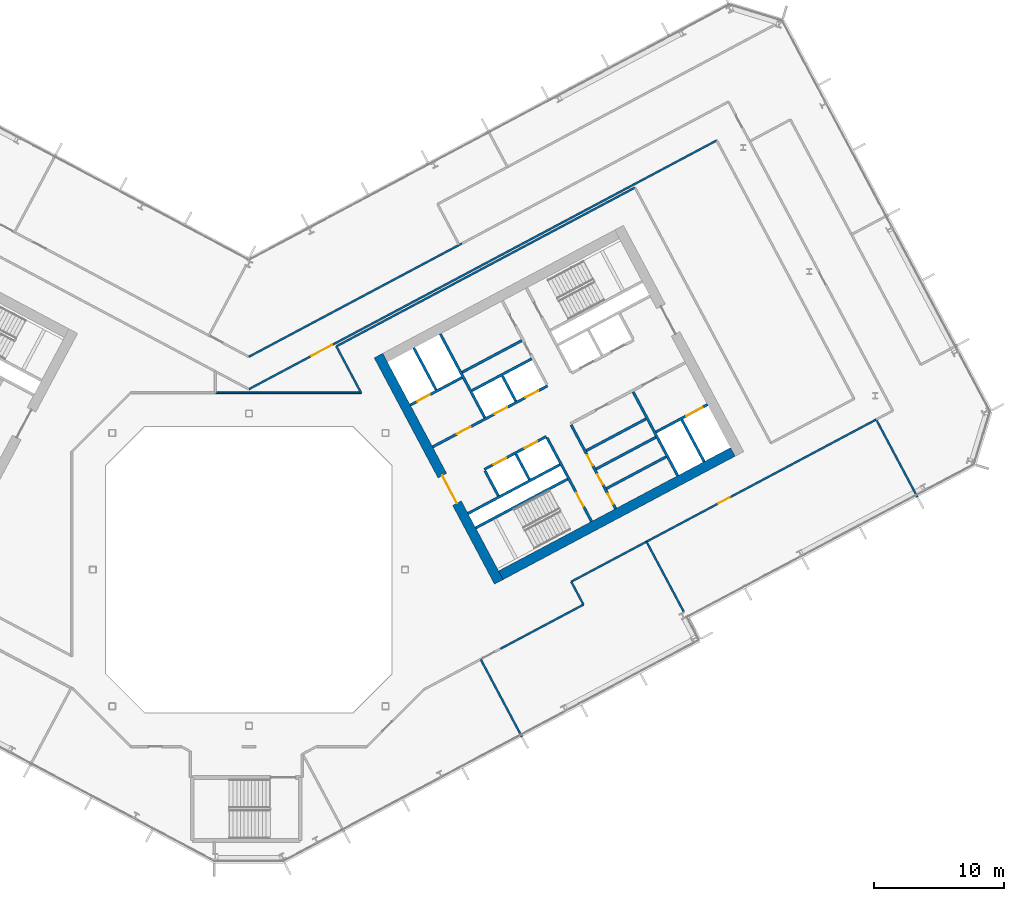
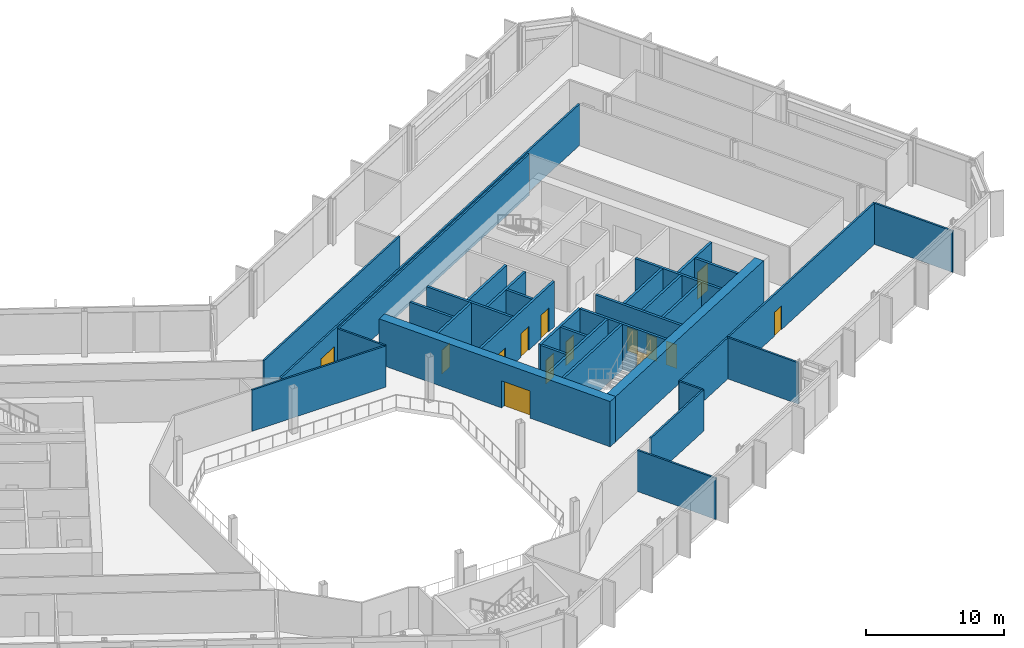
# One storey, part 16 of 28: 33 walls, 14 doors, 14 openings.
"""IFC4 building model written with IfcOpenShell, lengths in metres."""

import ifcopenshell
import ifcopenshell.guid

model = None  # the IFC model being written
_history = None  # IfcOwnerHistory: only IFC2X3 demands one
_inside = {}  # id of a spatial element -> (the spatial element, [elements in it])
_under = {}  # id of a project, library or spatial element -> (it, [spatial elements below it])
_declared = {}  # id of a project -> (the project, [libraries it declares])
_typed = {}  # id of a type object -> (the type object, [elements of that type])
_made_of = {}  # id of a material, layer set ... -> (it, [elements and type objects made of it])


def new_model(schema):
    """Start an empty IFC model of exactly this schema.

    Asked for "IFC4X3", IfcOpenShell would pick the latest addendum, in which some entities
    have other attributes; the version numbers below select the first issue.
    IFC2X3 requires an IfcOwnerHistory on every rooted entity: one is made here for all.
    """
    global model, _history
    if schema == "IFC4X3":
        model = ifcopenshell.file(schema_version=(4, 3, 0, 0))
    else:
        model = ifcopenshell.file(schema=schema)
    _inside.clear()
    _under.clear()
    _declared.clear()
    _typed.clear()
    _made_of.clear()
    _history = None
    if model.schema == "IFC2X3":
        org = make("IfcOrganization", Name="unknown")
        user = make(
            "IfcPersonAndOrganization",
            ThePerson=make("IfcPerson", FamilyName="unknown"),
            TheOrganization=org,
        )
        app = make(
            "IfcApplication",
            ApplicationDeveloper=org,
            Version="unknown",
            ApplicationFullName="unknown",
            ApplicationIdentifier="unknown",
        )
        _history = make(
            "IfcOwnerHistory",
            OwningUser=user,
            OwningApplication=app,
            ChangeAction="ADDED",
            CreationDate=0,
        )
    return model


def make(cls, **values):
    """One entity of the class cls with the attributes given. An attribute that is None is left unset."""
    return model.create_entity(
        cls, **{name: value for name, value in values.items() if value is not None}
    )


def rooted(cls, **values):
    """An entity with a GlobalId (a new one), such as an element, a storey or a relation."""
    return make(cls, GlobalId=ifcopenshell.guid.new(), OwnerHistory=_history, **values)


def si_unit(unit_type, name, prefix=None):
    """IfcSIUnit, for example si_unit("LENGTHUNIT", "METRE", prefix="MILLI")."""
    return make("IfcSIUnit", UnitType=unit_type, Prefix=prefix, Name=name)


def assignment(units):
    """IfcUnitAssignment: the units of a project."""
    return None if units is None else make("IfcUnitAssignment", Units=units)


def point(xyz):
    """IfcCartesianPoint."""
    return None if xyz is None else make("IfcCartesianPoint", Coordinates=xyz)


def direction(xyz):
    """IfcDirection."""
    return None if xyz is None else make("IfcDirection", DirectionRatios=xyz)


def frame(location, z_axis=None, x_axis=None):
    """IfcAxis2Placement3D, a coordinate frame: its origin and axes. An axis left out is left unset."""
    return make(
        "IfcAxis2Placement3D",
        Location=point(location),
        Axis=direction(z_axis),
        RefDirection=direction(x_axis),
    )


def frame_2d(location, x_axis=None):
    """IfcAxis2Placement2D, a coordinate frame in the plane: its origin and x axis."""
    return make(
        "IfcAxis2Placement2D", Location=point(location), RefDirection=direction(x_axis)
    )


def origin():
    """The frame at (0, 0, 0) with its axes left unset."""
    return frame((0.0, 0.0, 0.0))


def place(relative_to, where):
    """IfcLocalPlacement: puts the frame where relative to a parent placement (None: the world)."""
    return make(
        "IfcLocalPlacement", PlacementRelTo=relative_to, RelativePlacement=where
    )


def context(
    kind, dimensions, precision=None, world=None, true_north=None, identifier=None
):
    """IfcGeometricRepresentationContext, for example the 3D "Model" context."""
    return make(
        "IfcGeometricRepresentationContext",
        ContextIdentifier=identifier,
        ContextType=kind,
        CoordinateSpaceDimension=dimensions,
        Precision=precision,
        WorldCoordinateSystem=world,
        TrueNorth=true_north,
    )


def subcontext(parent, identifier, kind, view, scale=None):
    """IfcGeometricRepresentationSubContext, for example "Body" below "Model"."""
    return make(
        "IfcGeometricRepresentationSubContext",
        ContextIdentifier=identifier,
        ContextType=kind,
        ParentContext=parent,
        TargetScale=scale,
        TargetView=view,
    )


def project(units=None, contexts=None):
    """IfcProject with its units and contexts."""
    return rooted(
        "IfcProject",
        Name="project",
        RepresentationContexts=contexts,
        UnitsInContext=assignment(units),
    )


def spatial(cls, under=None, at=None, **own):
    """A site, building, storey or space (cls), placed at a placement, below another one or the project."""
    s = rooted(cls, ObjectPlacement=at, **own)
    if under is not None:
        _under.setdefault(under.id(), (under, []))[1].append(s)
    return s


def profile(cls, at=None, kind="AREA", **sizes):
    """A parametric profile (cls). Its sizes go by their IFC names, for example OverallWidth=200.0."""
    return make(cls, ProfileType=kind, Position=at, **sizes)


def rectangle(**sizes):
    """IfcRectangleProfileDef."""
    return profile("IfcRectangleProfileDef", **sizes)


def extrude(swept, where, along, depth):
    """IfcExtrudedAreaSolid: the profile swept, set in the frame where, extruded along a direction by depth."""
    return make(
        "IfcExtrudedAreaSolid",
        SweptArea=swept,
        Position=where,
        ExtrudedDirection=direction(along),
        Depth=depth,
    )


def shape(context_of_items, identifier, shape_type, items):
    """IfcShapeRepresentation: the items that make up one representation, for example the "Body"."""
    return make(
        "IfcShapeRepresentation",
        ContextOfItems=context_of_items,
        RepresentationIdentifier=identifier,
        RepresentationType=shape_type,
        Items=items,
    )


def material(Name=None, Category=None):
    """IfcMaterial."""
    return make("IfcMaterial", Name=Name, Category=Category)


def layer(
    of_material, thickness, ventilated=None, Name=None, Category=None, Priority=None
):
    """IfcMaterialLayer: one layer of a wall or slab, of a material (None: an air gap)."""
    return make(
        "IfcMaterialLayer",
        Material=of_material,
        LayerThickness=thickness,
        IsVentilated=ventilated,
        Name=Name,
        Category=Category,
        Priority=Priority,
    )


def layer_set(layers, Name=None):
    """IfcMaterialLayerSet."""
    return make("IfcMaterialLayerSet", MaterialLayers=layers, LayerSetName=Name)


def made_of(thing, what):
    """Note that an element or type object is made of a material, layer set ...; save() writes the relation."""
    if what is not None:
        _made_of.setdefault(what.id(), (what, []))[1].append(thing)
    return thing


def type_object(cls, material=None, **own):
    """A type object (cls), such as IfcWallType, which elements share."""
    return made_of(rooted(cls, **own), material)


def element(
    cls,
    number,
    at=None,
    inside=None,
    cuts=None,
    type_object=None,
    material=None,
    context=None,
    identifier="Body",
    shape_type=None,
    held_by="IfcProductDefinitionShape",
    body=None,
    shapes=None,
    **own,
):
    """One element of the class cls, such as IfcWall. Its Tag is "e" and its number.

    at: its placement. inside: the storey or other place that contains it. cuts: it is an
    opening in that element (IfcRelVoidsElement). A single representation is given by context,
    identifier, shape_type and body (its items); several are given by shapes. held_by: the class
    of the entity that holds the representations. save() writes the other relations.
    """
    e = rooted(cls, Tag="e%d" % number, ObjectPlacement=at, **own)
    if body is not None:
        shapes = [shape(context, identifier, shape_type, body)]
    if shapes is not None:
        e.Representation = make(held_by, Representations=shapes)
    if inside is not None:
        _inside.setdefault(inside.id(), (inside, []))[1].append(e)
    if cuts is not None:
        rooted(
            "IfcRelVoidsElement", RelatingBuildingElement=cuts, RelatedOpeningElement=e
        )
    if type_object is not None:
        _typed.setdefault(type_object.id(), (type_object, []))[1].append(e)
    return made_of(e, material)


def fill(opening, filler):
    """IfcRelFillsElement: the door or window that sits in an opening."""
    return rooted(
        "IfcRelFillsElement",
        RelatingOpeningElement=opening,
        RelatedBuildingElement=filler,
    )


def aggregate(whole, parts):
    """IfcRelAggregates: a whole, such as a stair, and the parts it consists of."""
    return rooted("IfcRelAggregates", RelatingObject=whole, RelatedObjects=parts)


def save(model, path):
    """Write the relations noted so far, then the file.

    IfcRelAggregates (storeys below a building ...), IfcRelContainedInSpatialStructure (elements
    in a storey), IfcRelDefinesByType, IfcRelAssociatesMaterial and IfcRelDeclares: one each for
    every whole, place, type object, material and project.
    """
    for whole, parts in _under.values():
        aggregate(whole, parts)
    for where, things in _inside.values():
        rooted(
            "IfcRelContainedInSpatialStructure",
            RelatedElements=things,
            RelatingStructure=where,
        )
    for kind, things in _typed.values():
        rooted("IfcRelDefinesByType", RelatedObjects=things, RelatingType=kind)
    for what, things in _made_of.values():
        rooted("IfcRelAssociatesMaterial", RelatedObjects=things, RelatingMaterial=what)
    for by, libraries in _declared.values():
        rooted("IfcRelDeclares", RelatingContext=by, RelatedDefinitions=libraries)
    model.write(path)


model = new_model("IFC4")

# Units and contexts
model_context = context("Model", 3, precision=1e-05, world=origin(), true_north=direction((0.0, 1.0)))
body_context = subcontext(model_context, "Body", "Model", "MODEL_VIEW")
ifc_project = project(units=[si_unit("LENGTHUNIT", "METRE"), si_unit("AREAUNIT", "SQUARE_METRE"), si_unit("VOLUMEUNIT", "CUBIC_METRE"), si_unit("PLANEANGLEUNIT", "RADIAN"), si_unit("MASSUNIT", "GRAM", prefix="KILO")], contexts=[model_context])

# Site, building, storey
site_placement = place(None, origin())
site = spatial("IfcSite", under=ifc_project, at=site_placement, CompositionType="ELEMENT")
building_placement = place(site_placement, origin())
building = spatial("IfcBuilding", under=site, at=building_placement, Name="Cormorant Relay Tower", CompositionType="ELEMENT")
storey_placement = place(building_placement, frame((0.0, 0.0, 158.199951171875)))
storey = spatial("IfcBuildingStorey", under=building, at=storey_placement, Name="L33", CompositionType="ELEMENT", Elevation=158.199951171875)

# Walls
ifc_material_1 = material(Name="Concrete 40 MPa", Category="concrete")
ifc_layer_1 = layer(ifc_material_1, 0.199951171875)
ifc_layer_set_1 = layer_set([ifc_layer_1], Name="Core internal wall 200")
wall_type_1 = type_object("IfcWallType", Name="Core internal wall 200", PredefinedType="SOLIDWALL", material=ifc_layer_set_1)
for number, where, z_axis, x_axis, name in (
    (1, (21.567626953125, 6.9375, 0.0), (0.0, 0.0, 1.0), (-0.469533832133, 0.882914480843, 0.0), "L33 core B shaft and room wall"),
    (2, (20.522216796875, 12.950439453125, 0.0), (0.0, 0.0, 1.0), (-0.469401318492, 0.882984938828, 0.0), "L33 core B shaft and room wall"),
):
    element("IfcWall", number, at=place(storey_placement, frame(where, z_axis=z_axis, x_axis=x_axis)), inside=storey, type_object=wall_type_1, Name=name, PredefinedType="SOLIDWALL", context=body_context, shape_type="SweptSolid", body=[
        extrude(rectangle(XDim=2.199951171875, YDim=0.199951171875, at=frame_2d((1.10009765625, 0.0))), origin(), (0.0, 0.0, 1.0), 4.0),
    ])
for number, where, z_axis, x_axis, name in (
    (3, (27.490234375, 6.23583984375, 0.0), (0.0, 0.0, 1.0), (0.882953967957, 0.469459572775, 0.0), "L33 core B shaft and room wall"),
    (4, (26.692138671875, 7.73681640625, 0.0), (0.0, 0.0, 1.0), (0.882953967957, 0.469459572775, 0.0), "L33 core B shaft and room wall"),
    (5, (16.395751953125, 15.17333984375, 0.0), (0.0, 0.0, 1.0), (0.882934506056, 0.469496174655, 0.0), "L33 core B shaft and room wall"),
):
    element("IfcWall", number, at=place(storey_placement, frame(where, z_axis=z_axis, x_axis=x_axis)), inside=storey, type_object=wall_type_1, Name=name, PredefinedType="SOLIDWALL", context=body_context, shape_type="SweptSolid", body=[
        extrude(rectangle(XDim=5.199951171875, YDim=0.199951171875, at=frame_2d((2.60009765625, 0.0))), origin(), (0.0, 0.0, 1.0), 4.0),
    ])
ifc_material_2 = material(Name="Concrete 50 MPa", Category="concrete")
ifc_layer_2 = layer(ifc_material_2, 0.199951171875)
ifc_layer_set_2 = layer_set([ifc_layer_2], Name="Core shaft wall 200")
wall_type_2 = type_object("IfcWallType", Name="Core shaft wall 200", PredefinedType="SHEAR", material=ifc_layer_set_2)
wall_1_placement = place(storey_placement, frame((14.39404296875, 13.825927734375, 0.0), z_axis=(0.0, 0.0, 1.0), x_axis=(-0.469494272526, 0.882935517501, 0.0)))
element("IfcWall", 6, at=wall_1_placement, inside=storey, type_object=wall_type_2, Name="L33 core B shaft wall", PredefinedType="SHEAR", context=body_context, shape_type="SweptSolid", body=[
    extrude(rectangle(XDim=3.64990234375, YDim=0.199951171875, at=frame_2d((1.824951171875, 0.0))), origin(), (0.0, 0.0, 1.0), 4.0),
])
wall_2_placement = place(storey_placement, frame((19.18359375, 5.669921875, 0.0), z_axis=(0.0, 0.0, 1.0), x_axis=(-0.4694473164, 0.882960484464, 0.0)))
element("IfcWall", 7, at=wall_2_placement, inside=storey, type_object=wall_type_2, Name="L33 core B shaft wall", PredefinedType="SHEAR", context=body_context, shape_type="SweptSolid", body=[
    extrude(rectangle(XDim=2.199951171875, YDim=0.199951171875, at=frame_2d((1.10009765625, 0.0))), origin(), (0.0, 0.0, 1.0), 4.0),
])
wall_3_placement = place(storey_placement, frame((18.138427734375, 11.682861328125, 0.0), z_axis=(0.0, 0.0, 1.0), x_axis=(-0.469480409012, 0.88294288918, 0.0)))
element("IfcWall", 8, at=wall_3_placement, inside=storey, type_object=wall_type_2, Name="L33 core B shaft wall", PredefinedType="SHEAR", context=body_context, shape_type="SweptSolid", body=[
    extrude(rectangle(XDim=7.300048828125, YDim=0.199951171875, at=frame_2d((3.64990234375, 0.0))), origin(), (0.0, 0.0, 1.0), 4.0),
])

# Wall, opening, door
wall_4_placement = place(storey_placement, frame((26.345947265625, 3.701904296875, 0.0), z_axis=(0.0, 0.0, 1.0), x_axis=(-0.469480409012, 0.88294288918, 0.0)))
wall_4 = element("IfcWall", 9, at=wall_4_placement, inside=storey, type_object=wall_type_2, Name="L33 core B shaft wall", PredefinedType="SHEAR", context=body_context, shape_type="SweptSolid", body=[
    extrude(rectangle(XDim=7.300048828125, YDim=0.199951171875, at=frame_2d((3.64990234375, 0.0))), origin(), (0.0, 0.0, 1.0), 4.0),
])
opening_1_placement = place(wall_4_placement, frame((1.300048828125, 0.0, 0.0)))
opening_1 = element("IfcOpeningElement", 10, at=opening_1_placement, cuts=wall_4, Name="Opening CDB-036", PredefinedType="OPENING", context=body_context, shape_type="SweptSolid", body=[
    extrude(rectangle(XDim=1.199951171875, YDim=2.10009765625, at=frame_2d((0.60009765625, 1.050048828125))), frame((0.0, 0.10986328125, 0.0), z_axis=(0.0, -1.0, 0.0), x_axis=(1.0, 0.0, 0.0)), (0.0, 0.0, 1.0), 0.219970703125),
])
ifc_material_3 = material(Name="Steel fire door", Category="steel")
door_type_1 = type_object("IfcDoorType", Name="Core stair door 1200x2100", OperationType="SINGLE_SWING_LEFT", PredefinedType="DOOR", material=ifc_material_3)
door_1_placement = place(opening_1_placement, origin())
door_1 = element("IfcDoor", 11, at=door_1_placement, inside=storey, type_object=door_type_1, Name="Core stair door 1200x2100", OperationType="SINGLE_SWING_RIGHT", OverallHeight=2.10009765625, OverallWidth=1.199951171875, PredefinedType="DOOR", context=body_context, shape_type="SweptSolid", body=[
    extrude(rectangle(XDim=1.199951171875, YDim=2.10009765625, at=frame_2d((0.60009765625, 1.050048828125))), frame((0.0, 0.02490234375, 0.0), z_axis=(0.0, -1.0, 0.0), x_axis=(1.0, 0.0, 0.0)), (0.0, 0.0, 1.0), 0.050048828125),
])
fill(opening_1, door_1)

# Wall, openings, doors
wall_5_placement = place(storey_placement, frame((28.199951171875, 4.687744140625, 0.0), z_axis=(0.0, 0.0, 1.0), x_axis=(-0.469454336211, 0.882956752176, 0.0)))
wall_5 = element("IfcWall", 12, at=wall_5_placement, inside=storey, type_object=wall_type_2, Name="L33 core B shaft wall", PredefinedType="SHEAR", context=body_context, shape_type="SweptSolid", body=[
    extrude(rectangle(XDim=7.300048828125, YDim=0.199951171875, at=frame_2d((3.64990234375, 0.0))), origin(), (0.0, 0.0, 1.0), 4.0),
])
opening_2_placement = place(wall_5_placement, frame((0.39990234375, 0.0, 0.0)))
opening_2 = element("IfcOpeningElement", 13, at=opening_2_placement, cuts=wall_5, Name="Opening CDD-181", PredefinedType="OPENING", context=body_context, shape_type="SweptSolid", body=[
    extrude(rectangle(XDim=0.89990234375, YDim=2.10009765625, at=frame_2d((0.449951171875, 1.050048828125))), frame((0.0, 0.10986328125, 0.0), z_axis=(0.0, -1.0, 0.0), x_axis=(1.0, 0.0, 0.0)), (0.0, 0.0, 1.0), 0.219970703125),
])
opening_3_placement = place(wall_5_placement, frame((2.10009765625, 0.0, 0.0)))
opening_3 = element("IfcOpeningElement", 14, at=opening_3_placement, cuts=wall_5, Name="Opening CDD-182", PredefinedType="OPENING", context=body_context, shape_type="SweptSolid", body=[
    extrude(rectangle(XDim=0.89990234375, YDim=2.10009765625, at=frame_2d((0.449951171875, 1.050048828125))), frame((0.0, 0.10986328125, 0.0), z_axis=(0.0, -1.0, 0.0), x_axis=(1.0, 0.0, 0.0)), (0.0, 0.0, 1.0), 0.219970703125),
])
opening_4_placement = place(wall_5_placement, frame((3.75, 0.0, 0.0)))
opening_4 = element("IfcOpeningElement", 15, at=opening_4_placement, cuts=wall_5, Name="Opening CDD-183", PredefinedType="OPENING", context=body_context, shape_type="SweptSolid", body=[
    extrude(rectangle(XDim=0.89990234375, YDim=2.10009765625, at=frame_2d((0.449951171875, 1.050048828125))), frame((0.0, 0.10986328125, 0.0), z_axis=(0.0, -1.0, 0.0), x_axis=(1.0, 0.0, 0.0)), (0.0, 0.0, 1.0), 0.219970703125),
])
ifc_material_4 = material(Name="Steel fire door", Category="steel")
door_type_2 = type_object("IfcDoorType", Name="Core room door 900x2100", OperationType="SINGLE_SWING_LEFT", PredefinedType="DOOR", material=ifc_material_4)
door_2_placement = place(opening_2_placement, frame((0.89990234375, 0.0, 0.0), z_axis=(0.0, 0.0, 1.0), x_axis=(-1.0, 0.0, 0.0)))
door_2 = element("IfcDoor", 16, at=door_2_placement, inside=storey, type_object=door_type_2, Name="Core room door 900x2100", OperationType="SINGLE_SWING_LEFT", OverallHeight=2.10009765625, OverallWidth=0.89990234375, PredefinedType="DOOR", context=body_context, shape_type="SweptSolid", body=[
    extrude(rectangle(XDim=0.89990234375, YDim=2.10009765625, at=frame_2d((0.449951171875, 1.050048828125))), frame((0.0, 0.02490234375, 0.0), z_axis=(0.0, -1.0, 0.0), x_axis=(1.0, 0.0, 0.0)), (0.0, 0.0, 1.0), 0.050048828125),
])
fill(opening_2, door_2)
door_3_placement = place(opening_3_placement, frame((0.89990234375, 0.0, 0.0), z_axis=(0.0, 0.0, 1.0), x_axis=(-1.0, 0.0, 0.0)))
door_3 = element("IfcDoor", 17, at=door_3_placement, inside=storey, type_object=door_type_2, Name="Core room door 900x2100", OperationType="SINGLE_SWING_LEFT", OverallHeight=2.10009765625, OverallWidth=0.89990234375, PredefinedType="DOOR", context=body_context, shape_type="SweptSolid", body=[
    extrude(rectangle(XDim=0.89990234375, YDim=2.10009765625, at=frame_2d((0.449951171875, 1.050048828125))), frame((0.0, 0.02490234375, 0.0), z_axis=(0.0, -1.0, 0.0), x_axis=(1.0, 0.0, 0.0)), (0.0, 0.0, 1.0), 0.050048828125),
])
fill(opening_3, door_3)
door_4_placement = place(opening_4_placement, frame((0.89990234375, 0.0, 0.0), z_axis=(0.0, 0.0, 1.0), x_axis=(-1.0, 0.0, 0.0)))
door_4 = element("IfcDoor", 18, at=door_4_placement, inside=storey, type_object=door_type_2, Name="Core room door 900x2100", OperationType="SINGLE_SWING_LEFT", OverallHeight=2.10009765625, OverallWidth=0.89990234375, PredefinedType="DOOR", context=body_context, shape_type="SweptSolid", body=[
    extrude(rectangle(XDim=0.89990234375, YDim=2.10009765625, at=frame_2d((0.449951171875, 1.050048828125))), frame((0.0, 0.02490234375, 0.0), z_axis=(0.0, -1.0, 0.0), x_axis=(1.0, 0.0, 0.0)), (0.0, 0.0, 1.0), 0.050048828125),
])
fill(opening_4, door_4)

# Walls
wall_6_placement = place(storey_placement, frame((32.968017578125, 7.222900390625, 0.0), z_axis=(0.0, 0.0, 1.0), x_axis=(-0.469480409012, 0.88294288918, 0.0)))
element("IfcWall", 19, at=wall_6_placement, inside=storey, type_object=wall_type_2, Name="L33 core B shaft wall", PredefinedType="SHEAR", context=body_context, shape_type="SweptSolid", body=[
    extrude(rectangle(XDim=7.300048828125, YDim=0.199951171875, at=frame_2d((3.64990234375, 0.0))), origin(), (0.0, 0.0, 1.0), 4.0),
])
wall_7_placement = place(storey_placement, frame((34.998779296875, 8.302734375, 0.0), z_axis=(0.0, 0.0, 1.0), x_axis=(-0.4694665462, 0.882950260207, 0.0)))
element("IfcWall", 20, at=wall_7_placement, inside=storey, type_object=wall_type_2, Name="L33 core B shaft wall", PredefinedType="SHEAR", context=body_context, shape_type="SweptSolid", body=[
    extrude(rectangle(XDim=3.650146484375, YDim=0.199951171875, at=frame_2d((1.8251953125, 0.0))), origin(), (0.0, 0.0, 1.0), 4.0),
])
wall_8_placement = place(storey_placement, frame((17.43359375, 3.210205078125, 0.0), z_axis=(0.0, 0.0, 1.0), x_axis=(0.882940221191, 0.469485426614, 0.0)))
element("IfcWall", 21, at=wall_8_placement, inside=storey, type_object=wall_type_2, Name="L33 core B shaft wall", PredefinedType="SHEAR", context=body_context, shape_type="SweptSolid", body=[
    extrude(rectangle(XDim=8.0, YDim=0.199951171875, at=frame_2d((4.0, 0.0))), origin(), (0.0, 0.0, 1.0), 4.0),
])

# Wall, opening, door
wall_9_placement = place(storey_placement, frame((31.295654296875, 10.5810546875, 0.0), z_axis=(0.0, 0.0, 1.0), x_axis=(0.882960433586, 0.469447412093, 0.0)))
wall_9 = element("IfcWall", 22, at=wall_9_placement, inside=storey, type_object=wall_type_2, Name="L33 core B shaft wall", PredefinedType="SHEAR", context=body_context, shape_type="SweptSolid", body=[
    extrude(rectangle(XDim=4.5, YDim=0.199951171875, at=frame_2d((2.25, 0.0))), origin(), (0.0, 0.0, 1.0), 4.0),
])
opening_5_placement = place(wall_9_placement, frame((2.64990234375, 0.0, 0.0)))
opening_5 = element("IfcOpeningElement", 23, at=opening_5_placement, cuts=wall_9, Name="Opening LD3-014", PredefinedType="OPENING", context=body_context, shape_type="SweptSolid", body=[
    extrude(rectangle(XDim=1.39990234375, YDim=2.39990234375, at=frame_2d((0.699951171875, 1.199951171875))), frame((0.0, 0.10986328125, 0.0), z_axis=(0.0, -1.0, 0.0), x_axis=(1.0, 0.0, 0.0)), (0.0, 0.0, 1.0), 0.219970703125),
])
ifc_material_5 = material(Name="Stainless steel 316", Category="steel")
door_type_3 = type_object("IfcDoorType", Name="Lift landing door 1400x2400", OperationType="DOUBLE_DOOR_SLIDING", PredefinedType="DOOR", material=ifc_material_5)
door_5_placement = place(opening_5_placement, origin())
door_5 = element("IfcDoor", 24, at=door_5_placement, inside=storey, type_object=door_type_3, Name="SV2 landing door", OperationType="DOUBLE_DOOR_SLIDING", OverallHeight=2.39990234375, OverallWidth=1.39990234375, PredefinedType="DOOR", context=body_context, shape_type="SweptSolid", body=[
    extrude(rectangle(XDim=1.39990234375, YDim=2.39990234375, at=frame_2d((0.699951171875, 1.199951171875))), frame((0.0, 0.02490234375, 0.0), z_axis=(0.0, -1.0, 0.0), x_axis=(1.0, 0.0, 0.0)), (0.0, 0.0, 1.0), 0.050048828125),
])
fill(opening_5, door_5)

# Walls
wall_10_placement = place(storey_placement, frame((16.8466796875, 4.31396484375, 0.0), z_axis=(0.0, 0.0, 1.0), x_axis=(0.882940221191, 0.469485426614, 0.0)))
element("IfcWall", 25, at=wall_10_placement, inside=storey, type_object=wall_type_2, Name="L33 core B shaft wall", PredefinedType="SHEAR", context=body_context, shape_type="SweptSolid", body=[
    extrude(rectangle(XDim=8.0, YDim=0.199951171875, at=frame_2d((4.0, 0.0))), origin(), (0.0, 0.0, 1.0), 4.0),
])
wall_11_placement = place(storey_placement, frame((25.94091796875, 9.149658203125, 0.0), z_axis=(0.0, 0.0, 1.0), x_axis=(0.882953967957, 0.469459572775, 0.0)))
element("IfcWall", 26, at=wall_11_placement, inside=storey, type_object=wall_type_2, Name="L33 core B shaft wall", PredefinedType="SHEAR", context=body_context, shape_type="SweptSolid", body=[
    extrude(rectangle(XDim=5.199951171875, YDim=0.199951171875, at=frame_2d((2.60009765625, 0.0))), origin(), (0.0, 0.0, 1.0), 4.0),
])

# Wall, openings, doors
wall_12_placement = place(storey_placement, frame((18.103759765625, 7.70068359375, 0.0), z_axis=(0.0, 0.0, 1.0), x_axis=(0.882952937579, 0.469461510692, 0.0)))
wall_12 = element("IfcWall", 27, at=wall_12_placement, inside=storey, type_object=wall_type_2, Name="L33 core B shaft wall", PredefinedType="SHEAR", context=body_context, shape_type="SweptSolid", body=[
    extrude(rectangle(XDim=5.400146484375, YDim=0.199951171875, at=frame_2d((2.7001953125, 0.0))), origin(), (0.0, 0.0, 1.0), 4.0),
])
opening_6_placement = place(wall_12_placement, frame((0.800048828125, 0.0, 0.0)))
opening_6 = element("IfcOpeningElement", 28, at=opening_6_placement, cuts=wall_12, Name="Opening LD1-048", PredefinedType="OPENING", context=body_context, shape_type="SweptSolid", body=[
    extrude(rectangle(XDim=1.10009765625, YDim=2.10009765625, at=frame_2d((0.550048828125, 1.050048828125))), frame((0.0, 0.10986328125, 0.0), z_axis=(0.0, -1.0, 0.0), x_axis=(1.0, 0.0, 0.0)), (0.0, 0.0, 1.0), 0.219970703125),
])
opening_7_placement = place(wall_12_placement, frame((3.5, 0.0, 0.0)))
opening_7 = element("IfcOpeningElement", 29, at=opening_7_placement, cuts=wall_12, Name="Opening LD1-049", PredefinedType="OPENING", context=body_context, shape_type="SweptSolid", body=[
    extrude(rectangle(XDim=1.10009765625, YDim=2.10009765625, at=frame_2d((0.550048828125, 1.050048828125))), frame((0.0, 0.10986328125, 0.0), z_axis=(0.0, -1.0, 0.0), x_axis=(1.0, 0.0, 0.0)), (0.0, 0.0, 1.0), 0.219970703125),
])
ifc_material_6 = material(Name="Stainless steel 316", Category="steel")
door_type_4 = type_object("IfcDoorType", Name="Lift landing door 1100x2100", OperationType="DOUBLE_DOOR_SLIDING", PredefinedType="DOOR", material=ifc_material_6)
door_6_placement = place(opening_6_placement, origin())
door_6 = element("IfcDoor", 30, at=door_6_placement, inside=storey, type_object=door_type_4, Name="LR5 landing door", OperationType="DOUBLE_DOOR_SLIDING", OverallHeight=2.10009765625, OverallWidth=1.10009765625, PredefinedType="DOOR", context=body_context, shape_type="SweptSolid", body=[
    extrude(rectangle(XDim=1.10009765625, YDim=2.10009765625, at=frame_2d((0.550048828125, 1.050048828125))), frame((0.0, 0.02490234375, 0.0), z_axis=(0.0, -1.0, 0.0), x_axis=(1.0, 0.0, 0.0)), (0.0, 0.0, 1.0), 0.050048828125),
])
fill(opening_6, door_6)
door_7_placement = place(opening_7_placement, origin())
door_7 = element("IfcDoor", 31, at=door_7_placement, inside=storey, type_object=door_type_4, Name="LR6 landing door", OperationType="DOUBLE_DOOR_SLIDING", OverallHeight=2.10009765625, OverallWidth=1.10009765625, PredefinedType="DOOR", context=body_context, shape_type="SweptSolid", body=[
    extrude(rectangle(XDim=1.10009765625, YDim=2.10009765625, at=frame_2d((0.550048828125, 1.050048828125))), frame((0.0, 0.02490234375, 0.0), z_axis=(0.0, -1.0, 0.0), x_axis=(1.0, 0.0, 0.0)), (0.0, 0.0, 1.0), 0.050048828125),
])
fill(opening_7, door_7)

wall_13_placement = place(storey_placement, frame((14.123779296875, 9.43505859375, 0.0), z_axis=(0.0, 0.0, 1.0), x_axis=(0.882940221191, 0.469485426614, 0.0)))
wall_13 = element("IfcWall", 32, at=wall_13_placement, inside=storey, type_object=wall_type_2, Name="L33 core B shaft wall", PredefinedType="SHEAR", context=body_context, shape_type="SweptSolid", body=[
    extrude(rectangle(XDim=10.0, YDim=0.199951171875, at=frame_2d((5.0, 0.0))), origin(), (0.0, 0.0, 1.0), 4.0),
])
opening_8_placement = place(wall_13_placement, frame((2.10009765625, 0.0, 0.0)))
opening_8 = element("IfcOpeningElement", 33, at=opening_8_placement, cuts=wall_13, Name="Opening CDC-027", PredefinedType="OPENING", context=body_context, shape_type="SweptSolid", body=[
    extrude(rectangle(XDim=1.199951171875, YDim=2.10009765625, at=frame_2d((0.60009765625, 1.050048828125))), frame((0.0, 0.10986328125, 0.0), z_axis=(0.0, -1.0, 0.0), x_axis=(1.0, 0.0, 0.0)), (0.0, 0.0, 1.0), 0.219970703125),
])
opening_9_placement = place(wall_13_placement, frame((5.39990234375, 0.0, 0.0)))
opening_9 = element("IfcOpeningElement", 34, at=opening_9_placement, cuts=wall_13, Name="Opening LD1-044", PredefinedType="OPENING", context=body_context, shape_type="SweptSolid", body=[
    extrude(rectangle(XDim=1.10009765625, YDim=2.10009765625, at=frame_2d((0.550048828125, 1.050048828125))), frame((0.0, 0.10986328125, 0.0), z_axis=(0.0, -1.0, 0.0), x_axis=(1.0, 0.0, 0.0)), (0.0, 0.0, 1.0), 0.219970703125),
])
opening_10_placement = place(wall_13_placement, frame((8.10009765625, 0.0, 0.0)))
opening_10 = element("IfcOpeningElement", 35, at=opening_10_placement, cuts=wall_13, Name="Opening LD1-045", PredefinedType="OPENING", context=body_context, shape_type="SweptSolid", body=[
    extrude(rectangle(XDim=1.10009765625, YDim=2.10009765625, at=frame_2d((0.550048828125, 1.050048828125))), frame((0.0, 0.10986328125, 0.0), z_axis=(0.0, -1.0, 0.0), x_axis=(1.0, 0.0, 0.0)), (0.0, 0.0, 1.0), 0.219970703125),
])
ifc_material_7 = material(Name="Steel fire door", Category="steel")
door_type_5 = type_object("IfcDoorType", Name="Core lobby door 1200x2100", OperationType="SINGLE_SWING_LEFT", PredefinedType="DOOR", material=ifc_material_7)
door_8_placement = place(opening_8_placement, origin())
door_8 = element("IfcDoor", 36, at=door_8_placement, inside=storey, type_object=door_type_5, Name="Core lobby door 1200x2100", OperationType="SINGLE_SWING_RIGHT", OverallHeight=2.10009765625, OverallWidth=1.199951171875, PredefinedType="DOOR", context=body_context, shape_type="SweptSolid", body=[
    extrude(rectangle(XDim=1.199951171875, YDim=2.10009765625, at=frame_2d((0.60009765625, 1.050048828125))), frame((0.0, 0.02490234375, 0.0), z_axis=(0.0, -1.0, 0.0), x_axis=(1.0, 0.0, 0.0)), (0.0, 0.0, 1.0), 0.050048828125),
])
fill(opening_8, door_8)
door_9_placement = place(opening_9_placement, origin())
door_9 = element("IfcDoor", 37, at=door_9_placement, inside=storey, type_object=door_type_4, Name="LR1 landing door", OperationType="DOUBLE_DOOR_SLIDING", OverallHeight=2.10009765625, OverallWidth=1.10009765625, PredefinedType="DOOR", context=body_context, shape_type="SweptSolid", body=[
    extrude(rectangle(XDim=1.10009765625, YDim=2.10009765625, at=frame_2d((0.550048828125, 1.050048828125))), frame((0.0, 0.02490234375, 0.0), z_axis=(0.0, -1.0, 0.0), x_axis=(1.0, 0.0, 0.0)), (0.0, 0.0, 1.0), 0.050048828125),
])
fill(opening_9, door_9)
door_10_placement = place(opening_10_placement, origin())
door_10 = element("IfcDoor", 38, at=door_10_placement, inside=storey, type_object=door_type_4, Name="LR2 landing door", OperationType="DOUBLE_DOOR_SLIDING", OverallHeight=2.10009765625, OverallWidth=1.10009765625, PredefinedType="DOOR", context=body_context, shape_type="SweptSolid", body=[
    extrude(rectangle(XDim=1.10009765625, YDim=2.10009765625, at=frame_2d((0.550048828125, 1.050048828125))), frame((0.0, 0.02490234375, 0.0), z_axis=(0.0, -1.0, 0.0), x_axis=(1.0, 0.0, 0.0)), (0.0, 0.0, 1.0), 0.050048828125),
])
fill(opening_10, door_10)

# Wall
wall_14_placement = place(storey_placement, frame((17.146728515625, 13.7607421875, 0.0), z_axis=(0.0, 0.0, 1.0), x_axis=(0.882964314875, 0.469440111896, 0.0)))
element("IfcWall", 39, at=wall_14_placement, inside=storey, type_object=wall_type_2, Name="L33 core B shaft wall", PredefinedType="SHEAR", context=body_context, shape_type="SweptSolid", body=[
    extrude(rectangle(XDim=5.2001953125, YDim=0.199951171875, at=frame_2d((2.60009765625, 0.0))), origin(), (0.0, 0.0, 1.0), 4.0),
])

# Wall, opening, door
wall_15_placement = place(storey_placement, frame((12.41015625, 12.657958984375, 0.0), z_axis=(0.0, 0.0, 1.0), x_axis=(0.8829484765, 0.469469900894, 0.0)))
wall_15 = element("IfcWall", 40, at=wall_15_placement, inside=storey, type_object=wall_type_2, Name="L33 core B shaft wall", PredefinedType="SHEAR", context=body_context, shape_type="SweptSolid", body=[
    extrude(rectangle(XDim=4.499755859375, YDim=0.199951171875, at=frame_2d((2.25, 0.0))), origin(), (0.0, 0.0, 1.0), 4.0),
])
opening_11_placement = place(wall_15_placement, frame((0.60009765625, 0.0, 0.0)))
opening_11 = element("IfcOpeningElement", 41, at=opening_11_placement, cuts=wall_15, Name="Opening LD1-050", PredefinedType="OPENING", context=body_context, shape_type="SweptSolid", body=[
    extrude(rectangle(XDim=1.10009765625, YDim=2.10009765625, at=frame_2d((0.550048828125, 1.050048828125))), frame((0.0, 0.10986328125, 0.0), z_axis=(0.0, -1.0, 0.0), x_axis=(1.0, 0.0, 0.0)), (0.0, 0.0, 1.0), 0.219970703125),
])
door_11_placement = place(opening_11_placement, origin())
door_11 = element("IfcDoor", 42, at=door_11_placement, inside=storey, type_object=door_type_4, Name="FF2 landing door", OperationType="DOUBLE_DOOR_SLIDING", OverallHeight=2.10009765625, OverallWidth=1.10009765625, PredefinedType="DOOR", context=body_context, shape_type="SweptSolid", body=[
    extrude(rectangle(XDim=1.10009765625, YDim=2.10009765625, at=frame_2d((0.550048828125, 1.050048828125))), frame((0.0, 0.02490234375, 0.0), z_axis=(0.0, -1.0, 0.0), x_axis=(1.0, 0.0, 0.0)), (0.0, 0.0, 1.0), 0.050048828125),
])
fill(opening_11, door_11)

ifc_material_8 = material(Name="Concrete 60 MPa", Category="concrete")
ifc_layer_3 = layer(ifc_material_8, 0.75)
ifc_layer_set_3 = layer_set([ifc_layer_3], Name="Core wall 750")
wall_type_3 = type_object("IfcWallType", Name="Core wall 750", PredefinedType="SHEAR", material=ifc_layer_set_3)
wall_16_placement = place(storey_placement, frame((19.215087890625, -0.93896484375, 0.0), z_axis=(0.0, 0.0, 1.0), x_axis=(-0.469479580143, 0.882943329908, 0.0)))
wall_16 = element("IfcWall", 43, at=wall_16_placement, inside=storey, type_object=wall_type_3, Name="L33 core B wall", PredefinedType="SHEAR", context=body_context, shape_type="SweptSolid", body=[
    extrude(rectangle(XDim=19.699951171875, YDim=0.75, at=frame_2d((9.85009765625, 0.0))), origin(), (0.0, 0.0, 1.0), 4.0),
])
opening_12_placement = place(wall_16_placement, frame((6.85009765625, 0.0, 0.0)))
opening_12 = element("IfcOpeningElement", 44, at=opening_12_placement, cuts=wall_16, Name="Opening CDA-031", PredefinedType="OPENING", context=body_context, shape_type="SweptSolid", body=[
    extrude(rectangle(XDim=2.39990234375, YDim=2.39990234375, at=frame_2d((1.199951171875, 1.199951171875))), frame((0.0, 0.385009765625, 0.0), z_axis=(0.0, -1.0, 0.0), x_axis=(1.0, 0.0, 0.0)), (0.0, 0.0, 1.0), 0.77001953125),
])
ifc_material_9 = material(Name="Steel fire door", Category="steel")
door_type_6 = type_object("IfcDoorType", Name="Core lobby door 2400x2400", OperationType="DOUBLE_DOOR_SINGLE_SWING", PredefinedType="DOOR", material=ifc_material_9)
door_12_placement = place(opening_12_placement, origin())
door_12 = element("IfcDoor", 45, at=door_12_placement, inside=storey, type_object=door_type_6, Name="Core lobby door 2400x2400", OperationType="DOUBLE_DOOR_SINGLE_SWING", OverallHeight=2.39990234375, OverallWidth=2.39990234375, PredefinedType="DOOR", context=body_context, shape_type="SweptSolid", body=[
    extrude(rectangle(XDim=2.39990234375, YDim=2.39990234375, at=frame_2d((1.199951171875, 1.199951171875))), frame((0.0, 0.02490234375, 0.0), z_axis=(0.0, -1.0, 0.0), x_axis=(1.0, 0.0, 0.0)), (0.0, 0.0, 1.0), 0.050048828125),
])
fill(opening_12, door_12)

# Walls
wall_17_placement = place(storey_placement, frame((19.3701171875, -0.431884765625, 0.0), z_axis=(0.0, 0.0, 1.0), x_axis=(0.88294509198, 0.469476266226, 0.0)))
element("IfcWall", 46, at=wall_17_placement, inside=storey, type_object=wall_type_3, Name="L33 core B wall", PredefinedType="SHEAR", context=body_context, shape_type="SweptSolid", body=[
    extrude(rectangle(XDim=20.199951171875, YDim=0.75, at=frame_2d((10.10009765625, 0.0))), origin(), (0.0, 0.0, 1.0), 4.0),
])
ifc_material_10 = material(Name="Gypsum board fire partition")
ifc_layer_4 = layer(ifc_material_10, 0.14990234375)
ifc_layer_set_4 = layer_set([ifc_layer_4], Name="Corridor partition 150 EI 60")
wall_type_4 = type_object("IfcWallType", Name="Corridor partition 150 EI 60", PredefinedType="PARTITIONING", material=ifc_layer_set_4)
wall_18_placement = place(storey_placement, frame((0.0, 16.365966796875, 0.0), z_axis=(0.0, 0.0, 1.0), x_axis=(0.882949964187, 0.469467102939, 0.0)))
element("IfcWall", 47, at=wall_18_placement, inside=storey, type_object=wall_type_4, Name="wall/L33/part/040", PredefinedType="PARTITIONING", context=body_context, shape_type="SweptSolid", body=[
    extrude(rectangle(XDim=18.54248046875, YDim=0.14990234375, at=frame_2d((9.271240234375, 0.0))), origin(), (0.0, 0.0, 1.0), 3.64013671875),
])

# Wall, opening, door
wall_19_placement = place(storey_placement, frame((0.0, 13.8740234375, 0.0), z_axis=(0.0, 0.0, 1.0), x_axis=(0.882942852858, 0.469480477322, 0.0)))
wall_19 = element("IfcWall", 48, at=wall_19_placement, inside=storey, type_object=wall_type_4, Name="wall/L33/part/051", PredefinedType="PARTITIONING", context=body_context, shape_type="SweptSolid", body=[
    extrude(rectangle(XDim=40.736572265625, YDim=0.14990234375, at=frame_2d((20.3681640625, 0.0))), origin(), (0.0, 0.0, 1.0), 3.64013671875),
])
opening_13_placement = place(wall_19_placement, frame((5.449951171875, 0.0, 0.0)))
opening_13 = element("IfcOpeningElement", 49, at=opening_13_placement, cuts=wall_19, Name="Opening DD-013", PredefinedType="OPENING", context=body_context, shape_type="SweptSolid", body=[
    extrude(rectangle(XDim=1.800048828125, YDim=2.10009765625, at=frame_2d((0.89990234375, 1.050048828125))), frame((0.0, 0.0849609375, 0.0), z_axis=(0.0, -1.0, 0.0), x_axis=(1.0, 0.0, 0.0)), (0.0, 0.0, 1.0), 0.169921875),
])
ifc_material_11 = material(Name="Timber door leaf", Category="wood")
door_type_7 = type_object("IfcDoorType", Name="Suite double door 1800x2100", OperationType="DOUBLE_DOOR_SINGLE_SWING", PredefinedType="DOOR", material=ifc_material_11)
door_13_placement = place(opening_13_placement, frame((1.800048828125, 0.0, 0.0), z_axis=(0.0, 0.0, 1.0), x_axis=(-1.0, 0.0, 0.0)))
door_13 = element("IfcDoor", 50, at=door_13_placement, inside=storey, type_object=door_type_7, Name="door/L33/002", OperationType="DOUBLE_DOOR_SINGLE_SWING", OverallHeight=2.10009765625, OverallWidth=1.800048828125, PredefinedType="DOOR", context=body_context, shape_type="SweptSolid", body=[
    extrude(rectangle(XDim=1.800048828125, YDim=2.10009765625, at=frame_2d((0.89990234375, 1.050048828125))), frame((0.0, 0.02490234375, 0.0), z_axis=(0.0, -1.0, 0.0), x_axis=(1.0, 0.0, 0.0)), (0.0, 0.0, 1.0), 0.050048828125),
])
fill(opening_13, door_13)

# Walls
wall_20_placement = place(storey_placement, frame((29.68408203125, 29.3740234375, 0.0), z_axis=(0.0, 0.0, 1.0), x_axis=(-0.882945936391, -0.469474678136, 0.0)))
element("IfcWall", 51, at=wall_20_placement, inside=storey, type_object=wall_type_4, Name="wall/L33/part/055", PredefinedType="PARTITIONING", context=body_context, shape_type="SweptSolid", body=[
    extrude(rectangle(XDim=25.999267578125, YDim=0.14990234375, at=frame_2d((12.99951171875, 0.0))), origin(), (0.0, 0.0, 1.0), 3.64013671875),
])
wall_21_placement = place(storey_placement, frame((6.72802734375, 17.16796875, 0.0), z_axis=(0.0, 0.0, 1.0), x_axis=(0.469452644844, -0.882957651447, 0.0)))
element("IfcWall", 52, at=wall_21_placement, inside=storey, type_object=wall_type_4, Name="wall/L33/part/056", PredefinedType="PARTITIONING", context=body_context, shape_type="SweptSolid", body=[
    extrude(rectangle(XDim=4.040771484375, YDim=0.14990234375, at=frame_2d((2.0205078125, 0.0))), origin(), (0.0, 0.0, 1.0), 3.64013671875),
])
wall_22_placement = place(storey_placement, frame((8.625, 13.60009765625, 0.0), z_axis=(0.0, 0.0, 1.0), x_axis=(-1.0, 0.0, 0.0)))
element("IfcWall", 53, at=wall_22_placement, inside=storey, type_object=wall_type_4, Name="wall/L33/part/057", PredefinedType="PARTITIONING", context=body_context, shape_type="SweptSolid", body=[
    extrude(rectangle(XDim=11.195068359375, YDim=0.14990234375, at=frame_2d((5.59765625, 0.0))), origin(), (0.0, 0.0, 1.0), 3.64013671875),
])
wall_23_placement = place(storey_placement, frame((25.722900390625, -2.68798828125, 0.0), z_axis=(0.0, 0.0, 1.0), x_axis=(-0.882926637088, -0.469510972738, 0.0)))
element("IfcWall", 54, at=wall_23_placement, inside=storey, type_object=wall_type_4, Name="wall/L33/part/071", PredefinedType="PARTITIONING", context=body_context, shape_type="SweptSolid", body=[
    extrude(rectangle(XDim=7.224609375, YDim=0.14990234375, at=frame_2d((3.6123046875, 0.0))), origin(), (0.0, 0.0, 1.0), 3.64013671875),
])
wall_24_placement = place(storey_placement, frame((25.721923828125, -2.68896484375, 0.0), z_axis=(0.0, 0.0, 1.0), x_axis=(-0.469128414652, 0.883129962444, 0.0)))
element("IfcWall", 55, at=wall_24_placement, inside=storey, type_object=wall_type_4, Name="wall/L33/part/072", PredefinedType="PARTITIONING", context=body_context, shape_type="SweptSolid", body=[
    extrude(rectangle(XDim=1.997314453125, YDim=0.14990234375, at=frame_2d((0.99853515625, 0.0))), origin(), (0.0, 0.0, 1.0), 3.64013671875),
])

# Wall, opening, door
wall_25_placement = place(storey_placement, frame((48.22802734375, 11.54296875, 0.0), z_axis=(0.0, 0.0, 1.0), x_axis=(-0.882937917869, -0.469489758342, 0.0)))
wall_25 = element("IfcWall", 56, at=wall_25_placement, inside=storey, type_object=wall_type_4, Name="wall/L33/part/075", PredefinedType="PARTITIONING", context=body_context, shape_type="SweptSolid", body=[
    extrude(rectangle(XDim=26.55224609375, YDim=0.14990234375, at=frame_2d((13.276123046875, 0.0))), origin(), (0.0, 0.0, 1.0), 3.64013671875),
])
opening_14_placement = place(wall_25_placement, frame((12.75, 0.0, 0.0)))
opening_14 = element("IfcOpeningElement", 57, at=opening_14_placement, cuts=wall_25, Name="Opening DS-047", PredefinedType="OPENING", context=body_context, shape_type="SweptSolid", body=[
    extrude(rectangle(XDim=1.0, YDim=2.10009765625, at=frame_2d((0.5, 1.050048828125))), frame((0.0, 0.0849609375, 0.0), z_axis=(0.0, -1.0, 0.0), x_axis=(1.0, 0.0, 0.0)), (0.0, 0.0, 1.0), 0.169921875),
])
ifc_material_12 = material(Name="Timber door leaf", Category="wood")
door_type_8 = type_object("IfcDoorType", Name="Suite door 1000x2100", OperationType="SINGLE_SWING_LEFT", PredefinedType="DOOR", material=ifc_material_12)
door_14_placement = place(opening_14_placement, origin())
door_14 = element("IfcDoor", 58, at=door_14_placement, inside=storey, type_object=door_type_8, Name="door/L33/005", OperationType="SINGLE_SWING_RIGHT", OverallHeight=2.10009765625, OverallWidth=1.0, PredefinedType="DOOR", context=body_context, shape_type="SweptSolid", body=[
    extrude(rectangle(XDim=1.0, YDim=2.10009765625, at=frame_2d((0.5, 1.050048828125))), frame((0.0, 0.02490234375, 0.0), z_axis=(0.0, -1.0, 0.0), x_axis=(1.0, 0.0, 0.0)), (0.0, 0.0, 1.0), 0.050048828125),
])
fill(opening_14, door_14)

# Walls
ifc_material_13 = material(Name="Gypsum board partition")
ifc_layer_5 = layer(ifc_material_13, 0.14990234375)
ifc_layer_set_5 = layer_set([ifc_layer_5], Name="Tenant partition 150")
wall_type_5 = type_object("IfcWallType", Name="Tenant partition 150", PredefinedType="PARTITIONING", material=ifc_layer_set_5)
wall_26_placement = place(storey_placement, frame((17.821044921875, -6.889892578125, 0.0), z_axis=(0.0, 0.0, 1.0), x_axis=(0.469454014738, -0.882956923098, 0.0)))
element("IfcWall", 59, at=wall_26_placement, inside=storey, type_object=wall_type_5, Name="wall/L33/part/064", PredefinedType="PARTITIONING", context=body_context, shape_type="SweptSolid", body=[
    extrude(rectangle(XDim=6.750244140625, YDim=0.14990234375, at=frame_2d((3.375, 0.0))), origin(), (0.0, 0.0, 1.0), 3.64013671875),
])
wall_27_placement = place(storey_placement, frame((30.568115234375, 2.153076171875, 0.0), z_axis=(0.0, 0.0, 1.0), x_axis=(0.469403906404, -0.88298356307, 0.0)))
element("IfcWall", 60, at=wall_27_placement, inside=storey, type_object=wall_type_5, Name="wall/L33/part/074", PredefinedType="PARTITIONING", context=body_context, shape_type="SweptSolid", body=[
    extrude(rectangle(XDim=6.100830078125, YDim=0.14990234375, at=frame_2d((3.05029296875, 0.0))), origin(), (0.0, 0.0, 1.0), 3.64013671875),
])
wall_28_placement = place(storey_placement, frame((48.22607421875, 11.5419921875, 0.0), z_axis=(0.0, 0.0, 1.0), x_axis=(0.469469006851, -0.882948951869, 0.0)))
element("IfcWall", 61, at=wall_28_placement, inside=storey, type_object=wall_type_5, Name="wall/L33/part/076", PredefinedType="PARTITIONING", context=body_context, shape_type="SweptSolid", body=[
    extrude(rectangle(XDim=6.75, YDim=0.14990234375, at=frame_2d((3.375, 0.0))), origin(), (0.0, 0.0, 1.0), 3.64013671875),
])

save(model, "model.ifc")
